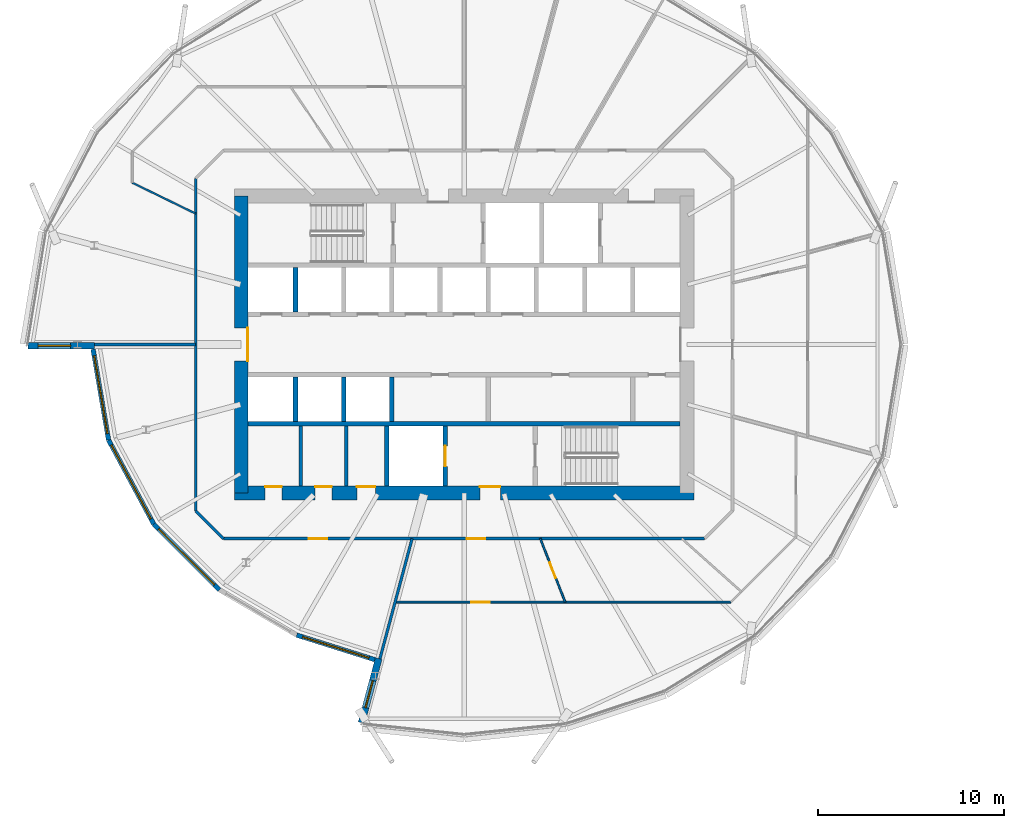
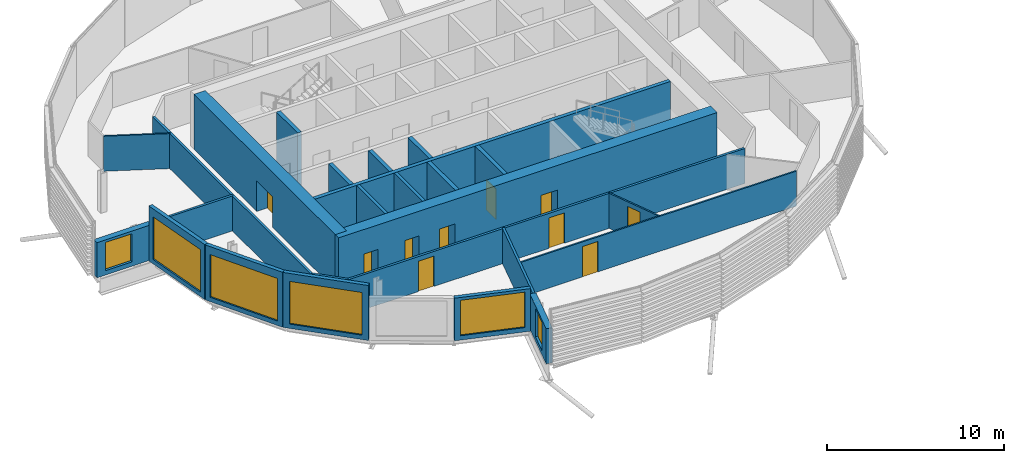
# One storey, part 20 of 39: 25 walls, 10 doors, 6 windows, 16 openings.
"""IFC4 building model written with IfcOpenShell, lengths in metres."""

from ifc_helpers import new_model, si_unit, direction, frame, frame_2d, origin, place, context, subcontext, project, spatial, rectangle, extrude, material, layer, layer_set, type_object, element, fill, save


model = new_model("IFC4")

# Units and contexts
model_context = context("Model", 3, precision=1e-05, world=origin(), true_north=direction((0.0, 1.0)))
body_context = subcontext(model_context, "Body", "Model", "MODEL_VIEW")
ifc_project = project(units=[si_unit("LENGTHUNIT", "METRE"), si_unit("AREAUNIT", "SQUARE_METRE"), si_unit("VOLUMEUNIT", "CUBIC_METRE"), si_unit("PLANEANGLEUNIT", "RADIAN"), si_unit("MASSUNIT", "GRAM", prefix="KILO")], contexts=[model_context])

# Site, building, storey
site_placement = place(None, origin())
site = spatial("IfcSite", under=ifc_project, at=site_placement, CompositionType="ELEMENT")
building_placement = place(site_placement, origin())
building = spatial("IfcBuilding", under=site, at=building_placement, Name="Rimbun Link Towers", CompositionType="ELEMENT")
storey_placement = place(building_placement, frame((0.0, 0.0, 100.60009765625)))
storey = spatial("IfcBuildingStorey", under=building, at=storey_placement, Name="L24", CompositionType="ELEMENT", Elevation=100.60009765625)

# Wall, opening, window
ifc_material_1 = material(Name="Dark enamelled glass spandrel on insulated aluminium backpan", Category="aluminium")
ifc_layer_1 = layer(ifc_material_1, 0.25)
ifc_layer_set_1 = layer_set([ifc_layer_1], Name="CS dark enamelled spandrel wall 250")
wall_type_1 = type_object("IfcWallType", Name="CS dark enamelled spandrel wall 250", PredefinedType="STANDARD", material=ifc_layer_set_1)
wall_1_placement = place(storey_placement, frame((-50.895263671875, -5.13916015625, 0.0), z_axis=(0.0, 0.0, 1.0), x_axis=(-0.168005969371, 0.985785977916, 0.0)))
wall_1 = element("IfcWall", 1, at=wall_1_placement, inside=storey, type_object=wall_type_1, Name="Crease spandrel wall", PredefinedType="STANDARD", context=body_context, shape_type="SweptSolid", body=[
    extrude(rectangle(XDim=4.959716796875, YDim=0.25, at=frame_2d((2.47998046875, 0.0))), origin(), (0.0, 0.0, 1.0), 3.7998046875),
])
opening_1_placement = place(wall_1_placement, frame((0.354736328125, 0.0, 0.300048828125)))
opening_1 = element("IfcOpeningElement", 2, at=opening_1_placement, cuts=wall_1, Name="Opening WR42H295", PredefinedType="OPENING", context=body_context, shape_type="SweptSolid", body=[
    extrude(rectangle(XDim=4.25, YDim=2.949951171875, at=frame_2d((2.125, 1.47509765625))), frame((0.0, 0.135009765625, 0.0), z_axis=(0.0, -1.0, 0.0), x_axis=(1.0, 0.0, 0.0)), (0.0, 0.0, 1.0), 0.27001953125),
])
ifc_material_2 = material(Name="Aluminium framed fixed window, dark tinted low-e glass", Category="aluminium")
window_type_1 = type_object("IfcWindowType", Name="WR ribbon window 4250X2950", PartitioningType="SINGLE_PANEL", PredefinedType="WINDOW", material=ifc_material_2)
window_1_placement = place(opening_1_placement, origin())
window_1 = element("IfcWindow", 3, at=window_1_placement, inside=storey, type_object=window_type_1, Name="Crease ribbon window", OverallHeight=2.949951171875, OverallWidth=4.25, PartitioningType="SINGLE_PANEL", PredefinedType="WINDOW", context=body_context, shape_type="SweptSolid", body=[
    extrude(rectangle(XDim=4.25, YDim=2.949951171875, at=frame_2d((2.125, 1.47509765625))), frame((0.0, 0.030029296875, 0.0), z_axis=(0.0, -1.0, 0.0), x_axis=(1.0, 0.0, 0.0)), (0.0, 0.0, 1.0), 0.06005859375),
])
fill(opening_1, window_1)

wall_2_placement = place(storey_placement, frame((-48.462646484375, -9.665771484375, 0.0), z_axis=(0.0, 0.0, 1.0), x_axis=(-0.47337722528, 0.880859808702, 0.0)))
wall_2 = element("IfcWall", 4, at=wall_2_placement, inside=storey, type_object=wall_type_1, Name="Crease spandrel wall", PredefinedType="STANDARD", context=body_context, shape_type="SweptSolid", body=[
    extrude(rectangle(XDim=5.138916015625, YDim=0.25, at=frame_2d((2.5693359375, 0.0))), origin(), (0.0, 0.0, 1.0), 3.7998046875),
])
opening_2_placement = place(wall_2_placement, frame((0.319580078125, 0.0, 0.300048828125)))
opening_2 = element("IfcOpeningElement", 5, at=opening_2_placement, cuts=wall_2, Name="Opening WR45H295", PredefinedType="OPENING", context=body_context, shape_type="SweptSolid", body=[
    extrude(rectangle(XDim=4.5, YDim=2.949951171875, at=frame_2d((2.25, 1.47509765625))), frame((0.0, 0.135009765625, 0.0), z_axis=(0.0, -1.0, 0.0), x_axis=(1.0, 0.0, 0.0)), (0.0, 0.0, 1.0), 0.27001953125),
])
ifc_material_3 = material(Name="Aluminium framed fixed window, dark tinted low-e glass", Category="aluminium")
window_type_2 = type_object("IfcWindowType", Name="WR ribbon window 4500X2950", PartitioningType="SINGLE_PANEL", PredefinedType="WINDOW", material=ifc_material_3)
window_2_placement = place(opening_2_placement, origin())
window_2 = element("IfcWindow", 6, at=window_2_placement, inside=storey, type_object=window_type_2, Name="Crease ribbon window", OverallHeight=2.949951171875, OverallWidth=4.5, PartitioningType="SINGLE_PANEL", PredefinedType="WINDOW", context=body_context, shape_type="SweptSolid", body=[
    extrude(rectangle(XDim=4.5, YDim=2.949951171875, at=frame_2d((2.25, 1.47509765625))), frame((0.0, 0.030029296875, 0.0), z_axis=(0.0, -1.0, 0.0), x_axis=(1.0, 0.0, 0.0)), (0.0, 0.0, 1.0), 0.06005859375),
])
fill(opening_2, window_2)

wall_3_placement = place(storey_placement, frame((-44.928955078125, -13.20166015625, 0.0), z_axis=(0.0, 0.0, 1.0), x_axis=(-0.706886974242, 0.707326519825, 0.0)))
wall_3 = element("IfcWall", 7, at=wall_3_placement, inside=storey, type_object=wall_type_1, Name="Crease spandrel wall", PredefinedType="STANDARD", context=body_context, shape_type="SweptSolid", body=[
    extrude(rectangle(XDim=4.9990234375, YDim=0.25, at=frame_2d((2.49951171875, 0.0))), origin(), (0.0, 0.0, 1.0), 3.7998046875),
])
opening_3_placement = place(wall_3_placement, frame((0.37451171875, 0.0, 0.300048828125)))
opening_3 = element("IfcOpeningElement", 8, at=opening_3_placement, cuts=wall_3, Name="Opening WR42H295", PredefinedType="OPENING", context=body_context, shape_type="SweptSolid", body=[
    extrude(rectangle(XDim=4.25, YDim=2.949951171875, at=frame_2d((2.125, 1.47509765625))), frame((0.0, 0.135009765625, 0.0), z_axis=(0.0, -1.0, 0.0), x_axis=(1.0, 0.0, 0.0)), (0.0, 0.0, 1.0), 0.27001953125),
])
window_3_placement = place(opening_3_placement, origin())
window_3 = element("IfcWindow", 9, at=window_3_placement, inside=storey, type_object=window_type_1, Name="Crease ribbon window", OverallHeight=2.949951171875, OverallWidth=4.25, PartitioningType="SINGLE_PANEL", PredefinedType="WINDOW", context=body_context, shape_type="SweptSolid", body=[
    extrude(rectangle(XDim=4.25, YDim=2.949951171875, at=frame_2d((2.125, 1.47509765625))), frame((0.0, 0.030029296875, 0.0), z_axis=(0.0, -1.0, 0.0), x_axis=(1.0, 0.0, 0.0)), (0.0, 0.0, 1.0), 0.06005859375),
])
fill(opening_3, window_3)

wall_4_placement = place(storey_placement, frame((-36.555908203125, -16.9697265625, 0.0), z_axis=(0.0, 0.0, 1.0), x_axis=(-0.953753862177, 0.300588706346, 0.0)))
wall_4 = element("IfcWall", 10, at=wall_4_placement, inside=storey, type_object=wall_type_1, Name="Crease spandrel wall", PredefinedType="STANDARD", context=body_context, shape_type="SweptSolid", body=[
    extrude(rectangle(XDim=4.414306640625, YDim=0.25, at=frame_2d((2.20703125, 0.0))), origin(), (0.0, 0.0, 1.0), 2.9462890625),
])
opening_4_placement = place(wall_4_placement, frame((0.332275390625, 0.0, 0.300048828125)))
opening_4 = element("IfcOpeningElement", 11, at=opening_4_placement, cuts=wall_4, Name="Opening WR38H245", PredefinedType="OPENING", context=body_context, shape_type="SweptSolid", body=[
    extrude(rectangle(XDim=3.75, YDim=2.449951171875, at=frame_2d((1.875, 1.22509765625))), frame((0.0, 0.135009765625, 0.0), z_axis=(0.0, -1.0, 0.0), x_axis=(1.0, 0.0, 0.0)), (0.0, 0.0, 1.0), 0.27001953125),
])
ifc_material_4 = material(Name="Aluminium framed fixed window, dark tinted low-e glass", Category="aluminium")
window_type_3 = type_object("IfcWindowType", Name="WR ribbon window 3750X2450", PartitioningType="SINGLE_PANEL", PredefinedType="WINDOW", material=ifc_material_4)
window_4_placement = place(opening_4_placement, origin())
window_4 = element("IfcWindow", 12, at=window_4_placement, inside=storey, type_object=window_type_3, Name="Crease ribbon window", OverallHeight=2.449951171875, OverallWidth=3.75, PartitioningType="SINGLE_PANEL", PredefinedType="WINDOW", context=body_context, shape_type="SweptSolid", body=[
    extrude(rectangle(XDim=3.75, YDim=2.449951171875, at=frame_2d((1.875, 1.22509765625))), frame((0.0, 0.030029296875, 0.0), z_axis=(0.0, -1.0, 0.0), x_axis=(1.0, 0.0, 0.0)), (0.0, 0.0, 1.0), 0.06005859375),
])
fill(opening_4, window_4)

ifc_material_5 = material(Name="Dark enamelled glass spandrel on insulated aluminium backpan", Category="aluminium")
ifc_layer_2 = layer(ifc_material_5, 0.3701171875)
ifc_layer_set_2 = layer_set([ifc_layer_2], Name="CS dark enamelled spandrel wall 370")
wall_type_2 = type_object("IfcWallType", Name="CS dark enamelled spandrel wall 370", PredefinedType="STANDARD", material=ifc_layer_set_2)
wall_5_placement = place(storey_placement, frame((-51.644287109375, -0.06494140625, 0.0), z_axis=(0.0, 0.0, 1.0), x_axis=(-1.0, 0.0, 0.0)))
wall_5 = element("IfcWall", 13, at=wall_5_placement, inside=storey, type_object=wall_type_2, Name="Crease spandrel wall", PredefinedType="STANDARD", context=body_context, shape_type="SweptSolid", body=[
    extrude(rectangle(XDim=3.580078125, YDim=0.3701171875, at=frame_2d((1.7900390625, 0.0))), origin(), (0.0, 0.0, 1.0), 2.429931640625),
])
opening_5_placement = place(wall_5_placement, frame((1.291748046875, 0.0, 0.300048828125)))
opening_5 = element("IfcOpeningElement", 14, at=opening_5_placement, cuts=wall_5, Name="Opening WR18H195", PredefinedType="OPENING", context=body_context, shape_type="SweptSolid", body=[
    extrude(rectangle(XDim=1.75, YDim=1.949951171875, at=frame_2d((0.875, 0.97509765625))), frame((0.0, 0.195068359375, 0.0), z_axis=(0.0, -1.0, 0.0), x_axis=(1.0, 0.0, 0.0)), (0.0, 0.0, 1.0), 0.39013671875),
])
ifc_material_6 = material(Name="Aluminium framed fixed window, dark tinted low-e glass", Category="aluminium")
window_type_4 = type_object("IfcWindowType", Name="WR ribbon window 1750X1950", PartitioningType="SINGLE_PANEL", PredefinedType="WINDOW", material=ifc_material_6)
window_5_placement = place(opening_5_placement, origin())
window_5 = element("IfcWindow", 15, at=window_5_placement, inside=storey, type_object=window_type_4, Name="Crease ribbon window", OverallHeight=1.949951171875, OverallWidth=1.75, PartitioningType="SINGLE_PANEL", PredefinedType="WINDOW", context=body_context, shape_type="SweptSolid", body=[
    extrude(rectangle(XDim=1.75, YDim=1.949951171875, at=frame_2d((0.875, 0.97509765625))), frame((0.0, 0.030029296875, 0.0), z_axis=(0.0, -1.0, 0.0), x_axis=(1.0, 0.0, 0.0)), (0.0, 0.0, 1.0), 0.06005859375),
])
fill(opening_5, window_5)

wall_6_placement = place(storey_placement, frame((-37.274169921875, -20.365234375, 0.0), z_axis=(0.0, 0.0, 1.0), x_axis=(0.258804260405, 0.965929787715, 0.0)))
wall_6 = element("IfcWall", 16, at=wall_6_placement, inside=storey, type_object=wall_type_2, Name="Crease spandrel wall", PredefinedType="STANDARD", context=body_context, shape_type="SweptSolid", body=[
    extrude(rectangle(XDim=3.580078125, YDim=0.3701171875, at=frame_2d((1.7900390625, 0.0))), origin(), (0.0, 0.0, 1.0), 2.429931640625),
])
opening_6_placement = place(wall_6_placement, frame((0.84716796875, 0.0, 0.300048828125)))
opening_6 = element("IfcOpeningElement", 17, at=opening_6_placement, cuts=wall_6, Name="Opening WR15H195", PredefinedType="OPENING", context=body_context, shape_type="SweptSolid", body=[
    extrude(rectangle(XDim=1.5, YDim=1.949951171875, at=frame_2d((0.75, 0.97509765625))), frame((0.0, 0.195068359375, 0.0), z_axis=(0.0, -1.0, 0.0), x_axis=(1.0, 0.0, 0.0)), (0.0, 0.0, 1.0), 0.39013671875),
])
ifc_material_7 = material(Name="Aluminium framed fixed window, dark tinted low-e glass", Category="aluminium")
window_type_5 = type_object("IfcWindowType", Name="WR ribbon window 1500X1950", PartitioningType="SINGLE_PANEL", PredefinedType="WINDOW", material=ifc_material_7)
window_6_placement = place(opening_6_placement, origin())
window_6 = element("IfcWindow", 18, at=window_6_placement, inside=storey, type_object=window_type_5, Name="Crease ribbon window", OverallHeight=1.949951171875, OverallWidth=1.5, PartitioningType="SINGLE_PANEL", PredefinedType="WINDOW", context=body_context, shape_type="SweptSolid", body=[
    extrude(rectangle(XDim=1.5, YDim=1.949951171875, at=frame_2d((0.75, 0.97509765625))), frame((0.0, 0.030029296875, 0.0), z_axis=(0.0, -1.0, 0.0), x_axis=(1.0, 0.0, 0.0)), (0.0, 0.0, 1.0), 0.06005859375),
])
fill(opening_6, window_6)

# Walls
ifc_material_8 = material(Name="Masonry blockwork", Category="masonry")
ifc_layer_3 = layer(ifc_material_8, 0.199951171875)
ifc_layer_set_3 = layer_set([ifc_layer_3], Name="Core partition 200")
wall_type_3 = type_object("IfcWallType", Name="Core partition 200", PredefinedType="PARTITIONING", material=ifc_layer_set_3)
for number, where, z_axis, x_axis, name in (
    (19, (-40.550048828125, -4.39990234375, 0.0), (0.0, 0.0, 1.0), (0.0, -1.0, 0.0), "L24 T1 core wall C1"),
    (20, (-38.10009765625, -4.39990234375, 0.0), (0.0, 0.0, 1.0), (0.0, -1.0, 0.0), "L24 T1 core wall C2"),
):
    element("IfcWall", number, at=place(storey_placement, frame(where, z_axis=z_axis, x_axis=x_axis)), inside=storey, type_object=wall_type_3, Name=name, PredefinedType="PARTITIONING", context=body_context, shape_type="SweptSolid", body=[
        extrude(rectangle(XDim=3.22509765625, YDim=0.199951171875, at=frame_2d((1.612548828125, 0.0))), origin(), (0.0, 0.0, 1.0), 3.7998046875),
    ])

# Wall, openings, doors
ifc_material_9 = material(Name="Concrete C60/75", Category="concrete")
ifc_layer_4 = layer(ifc_material_9, 0.75)
ifc_layer_set_4 = layer_set([ifc_layer_4], Name="Core shear wall 750")
wall_type_4 = type_object("IfcWallType", Name="Core shear wall 750", PredefinedType="SHEAR", material=ifc_layer_set_4)
wall_7_placement = place(storey_placement, frame((-44.125, -8.0, 0.0), z_axis=(0.0, 0.0, 1.0), x_axis=(1.0, 0.0, 0.0)))
wall_7 = element("IfcWall", 21, at=wall_7_placement, inside=storey, type_object=wall_type_4, Name="L24 T1 core wall S", PredefinedType="SHEAR", context=body_context, shape_type="SweptSolid", body=[
    extrude(rectangle(XDim=24.75, YDim=0.75, at=frame_2d((12.375, 0.0))), origin(), (0.0, 0.0, 1.0), 3.7998046875),
])
opening_7_placement = place(wall_7_placement, frame((13.22509765625, 0.0, 0.0)))
opening_7 = element("IfcOpeningElement", 22, at=opening_7_placement, cuts=wall_7, Name="Opening C1DCF01S", PredefinedType="OPENING", context=body_context, shape_type="SweptSolid", body=[
    extrude(rectangle(XDim=1.10009765625, YDim=2.10009765625, at=frame_2d((0.550048828125, 1.050048828125))), frame((0.0, 0.385009765625, 0.0), z_axis=(0.0, -1.0, 0.0), x_axis=(1.0, 0.0, 0.0)), (0.0, 0.0, 1.0), 0.77001953125),
])
opening_8_placement = place(wall_7_placement, frame((1.66259765625, 0.0, 0.0)))
opening_8 = element("IfcOpeningElement", 23, at=opening_8_placement, cuts=wall_7, Name="Opening C1DWC02S", PredefinedType="OPENING", context=body_context, shape_type="SweptSolid", body=[
    extrude(rectangle(XDim=0.89990234375, YDim=2.10009765625, at=frame_2d((0.449951171875, 1.050048828125))), frame((0.0, 0.385009765625, 0.0), z_axis=(0.0, -1.0, 0.0), x_axis=(1.0, 0.0, 0.0)), (0.0, 0.0, 1.0), 0.77001953125),
])
opening_9_placement = place(wall_7_placement, frame((4.35009765625, 0.0, 0.0)))
opening_9 = element("IfcOpeningElement", 24, at=opening_9_placement, cuts=wall_7, Name="Opening C1DWC03S", PredefinedType="OPENING", context=body_context, shape_type="SweptSolid", body=[
    extrude(rectangle(XDim=0.89990234375, YDim=2.10009765625, at=frame_2d((0.449951171875, 1.050048828125))), frame((0.0, 0.385009765625, 0.0), z_axis=(0.0, -1.0, 0.0), x_axis=(1.0, 0.0, 0.0)), (0.0, 0.0, 1.0), 0.77001953125),
])
opening_10_placement = place(wall_7_placement, frame((6.60009765625, 0.0, 0.0)))
opening_10 = element("IfcOpeningElement", 25, at=opening_10_placement, cuts=wall_7, Name="Opening C1DAW04S", PredefinedType="OPENING", context=body_context, shape_type="SweptSolid", body=[
    extrude(rectangle(XDim=1.0, YDim=2.10009765625, at=frame_2d((0.5, 1.050048828125))), frame((0.0, 0.385009765625, 0.0), z_axis=(0.0, -1.0, 0.0), x_axis=(1.0, 0.0, 0.0)), (0.0, 0.0, 1.0), 0.77001953125),
])
ifc_material_10 = material(Name="Timber", Category="wood")
door_type_1 = type_object("IfcDoorType", Name="Accessible WC door", OperationType="SINGLE_SWING_LEFT", PredefinedType="DOOR", material=ifc_material_10)
door_1_placement = place(opening_10_placement, origin())
door_1 = element("IfcDoor", 26, at=door_1_placement, inside=storey, type_object=door_type_1, Name="L24 T1 accessible wc door", OperationType="SINGLE_SWING_RIGHT", OverallHeight=2.10009765625, OverallWidth=1.0, PredefinedType="DOOR", context=body_context, shape_type="SweptSolid", body=[
    extrude(rectangle(XDim=1.0, YDim=2.10009765625, at=frame_2d((0.5, 1.050048828125))), frame((0.0, 0.375, 0.0), z_axis=(0.0, -1.0, 0.0), x_axis=(1.0, 0.0, 0.0)), (0.0, 0.0, 1.0), 0.050048828125),
])
fill(opening_10, door_1)
ifc_material_11 = material(Name="Steel fire door set", Category="steel")
door_type_2 = type_object("IfcDoorType", Name="Core fire door single", OperationType="SINGLE_SWING_LEFT", PredefinedType="DOOR", material=ifc_material_11)
door_2_placement = place(opening_7_placement, origin())
door_2 = element("IfcDoor", 27, at=door_2_placement, inside=storey, type_object=door_type_2, Name="L24 T1 firefighting lobby s door", OperationType="SINGLE_SWING_LEFT", OverallHeight=2.10009765625, OverallWidth=1.10009765625, PredefinedType="DOOR", context=body_context, shape_type="SweptSolid", body=[
    extrude(rectangle(XDim=1.10009765625, YDim=2.10009765625, at=frame_2d((0.550048828125, 1.050048828125))), frame((0.0, 0.375, 0.0), z_axis=(0.0, -1.0, 0.0), x_axis=(1.0, 0.0, 0.0)), (0.0, 0.0, 1.0), 0.050048828125),
])
fill(opening_7, door_2)
ifc_material_12 = material(Name="Timber", Category="wood")
door_type_3 = type_object("IfcDoorType", Name="WC door", OperationType="SINGLE_SWING_LEFT", PredefinedType="DOOR", material=ifc_material_12)
door_3_placement = place(opening_8_placement, origin())
door_3 = element("IfcDoor", 28, at=door_3_placement, inside=storey, type_object=door_type_3, Name="L24 T1 male wc door", OperationType="SINGLE_SWING_RIGHT", OverallHeight=2.10009765625, OverallWidth=0.89990234375, PredefinedType="DOOR", context=body_context, shape_type="SweptSolid", body=[
    extrude(rectangle(XDim=0.89990234375, YDim=2.10009765625, at=frame_2d((0.449951171875, 1.050048828125))), frame((0.0, 0.375, 0.0), z_axis=(0.0, -1.0, 0.0), x_axis=(1.0, 0.0, 0.0)), (0.0, 0.0, 1.0), 0.050048828125),
])
fill(opening_8, door_3)
door_4_placement = place(opening_9_placement, origin())
door_4 = element("IfcDoor", 29, at=door_4_placement, inside=storey, type_object=door_type_3, Name="L24 T1 female wc door", OperationType="SINGLE_SWING_RIGHT", OverallHeight=2.10009765625, OverallWidth=0.89990234375, PredefinedType="DOOR", context=body_context, shape_type="SweptSolid", body=[
    extrude(rectangle(XDim=0.89990234375, YDim=2.10009765625, at=frame_2d((0.449951171875, 1.050048828125))), frame((0.0, 0.375, 0.0), z_axis=(0.0, -1.0, 0.0), x_axis=(1.0, 0.0, 0.0)), (0.0, 0.0, 1.0), 0.050048828125),
])
fill(opening_9, door_4)

# Wall, opening, door
wall_8_placement = place(storey_placement, frame((-43.75, -8.0, 0.0), z_axis=(0.0, 0.0, 1.0), x_axis=(0.0, 1.0, 0.0)))
wall_8 = element("IfcWall", 30, at=wall_8_placement, inside=storey, type_object=wall_type_4, Name="L24 T1 core wall W", PredefinedType="SHEAR", context=body_context, shape_type="SweptSolid", body=[
    extrude(rectangle(XDim=16.0, YDim=0.75, at=frame_2d((8.0, 0.0))), origin(), (0.0, 0.0, 1.0), 3.7998046875),
])
opening_11_placement = place(wall_8_placement, frame((7.10009765625, 0.0, 0.0)))
opening_11 = element("IfcOpeningElement", 31, at=opening_11_placement, cuts=wall_8, Name="Opening C1DCL01W", PredefinedType="OPENING", context=body_context, shape_type="SweptSolid", body=[
    extrude(rectangle(XDim=1.800048828125, YDim=2.10009765625, at=frame_2d((0.89990234375, 1.050048828125))), frame((0.0, 0.385009765625, 0.0), z_axis=(0.0, -1.0, 0.0), x_axis=(1.0, 0.0, 0.0)), (0.0, 0.0, 1.0), 0.77001953125),
])
ifc_material_13 = material(Name="Steel fire door set", Category="steel")
door_type_4 = type_object("IfcDoorType", Name="Core lobby door double", OperationType="DOUBLE_DOOR_SINGLE_SWING", PredefinedType="DOOR", material=ifc_material_13)
door_5_placement = place(opening_11_placement, origin())
door_5 = element("IfcDoor", 32, at=door_5_placement, inside=storey, type_object=door_type_4, Name="L24 T1 lift lobby door", OperationType="DOUBLE_DOOR_SINGLE_SWING", OverallHeight=2.10009765625, OverallWidth=1.800048828125, PredefinedType="DOOR", context=body_context, shape_type="SweptSolid", body=[
    extrude(rectangle(XDim=1.800048828125, YDim=2.10009765625, at=frame_2d((0.89990234375, 1.050048828125))), frame((0.0, -0.3251953125, 0.0), z_axis=(0.0, -1.0, 0.0), x_axis=(1.0, 0.0, 0.0)), (0.0, 0.0, 1.0), 0.050048828125),
])
fill(opening_11, door_5)

# Wall, openings, doors
ifc_material_14 = material(Name="Plasterboard on steel stud, mineral wool", Category="steel")
ifc_layer_5 = layer(ifc_material_14, 0.14990234375)
ifc_layer_set_5 = layer_set([ifc_layer_5], Name="Corridor wall EI 30 150 mm")
wall_type_5 = type_object("IfcWallType", Name="Corridor wall EI 30 150 mm", PredefinedType="PARTITIONING", material=ifc_layer_set_5)
wall_9_placement = place(storey_placement, frame((-18.79833984375, -10.449951171875, 0.0), z_axis=(0.0, 0.0, 1.0), x_axis=(-1.0, 0.0, 0.0)))
wall_9 = element("IfcWall", 33, at=wall_9_placement, inside=storey, type_object=wall_type_5, Name="Corridor wall EI 30 150 mm", PredefinedType="PARTITIONING", context=body_context, shape_type="SweptSolid", body=[
    extrude(rectangle(XDim=25.9033203125, YDim=0.14990234375, at=frame_2d((12.95166015625, 0.0))), origin(), (0.0, 0.0, 1.0), 2.419921875),
])
opening_12_placement = place(wall_9_placement, frame((11.80126953125, 0.0, 0.0)))
opening_12 = element("IfcOpeningElement", 34, at=opening_12_placement, cuts=wall_9, Name="Opening D01", PredefinedType="OPENING", context=body_context, shape_type="SweptSolid", body=[
    extrude(rectangle(XDim=1.0, YDim=2.10009765625, at=frame_2d((0.5, 1.050048828125))), frame((0.0, 0.0849609375, 0.0), z_axis=(0.0, -1.0, 0.0), x_axis=(1.0, 0.0, 0.0)), (0.0, 0.0, 1.0), 0.169921875),
])
opening_13_placement = place(wall_9_placement, frame((20.32763671875, 0.0, 0.0)))
opening_13 = element("IfcOpeningElement", 35, at=opening_13_placement, cuts=wall_9, Name="Opening D01", PredefinedType="OPENING", context=body_context, shape_type="SweptSolid", body=[
    extrude(rectangle(XDim=1.0, YDim=2.10009765625, at=frame_2d((0.5, 1.050048828125))), frame((0.0, 0.0849609375, 0.0), z_axis=(0.0, -1.0, 0.0), x_axis=(1.0, 0.0, 0.0)), (0.0, 0.0, 1.0), 0.169921875),
])
ifc_material_15 = material(Name="Fire-resisting timber door leaf", Category="wood")
door_type_5 = type_object("IfcDoorType", Name="Fire door FD30S 1000", OperationType="NOTDEFINED", PredefinedType="DOOR", material=ifc_material_15)
door_6_placement = place(opening_12_placement, origin())
door_6 = element("IfcDoor", 36, at=door_6_placement, inside=storey, type_object=door_type_5, Name="Fire door FD30S 1000 to Reception", OperationType="SINGLE_SWING_LEFT", OverallHeight=2.10009765625, OverallWidth=1.0, PredefinedType="DOOR", context=body_context, shape_type="SweptSolid", body=[
    extrude(rectangle(XDim=1.0, YDim=2.10009765625, at=frame_2d((0.5, 1.050048828125))), frame((0.0, 0.02490234375, 0.0), z_axis=(0.0, -1.0, 0.0), x_axis=(1.0, 0.0, 0.0)), (0.0, 0.0, 1.0), 0.050048828125),
])
fill(opening_12, door_6)
door_7_placement = place(opening_13_placement, origin())
door_7 = element("IfcDoor", 37, at=door_7_placement, inside=storey, type_object=door_type_5, Name="Fire door FD30S 1000 to Terrace office", OperationType="SINGLE_SWING_LEFT", OverallHeight=2.10009765625, OverallWidth=1.0, PredefinedType="DOOR", context=body_context, shape_type="SweptSolid", body=[
    extrude(rectangle(XDim=1.0, YDim=2.10009765625, at=frame_2d((0.5, 1.050048828125))), frame((0.0, 0.02490234375, 0.0), z_axis=(0.0, -1.0, 0.0), x_axis=(1.0, 0.0, 0.0)), (0.0, 0.0, 1.0), 0.050048828125),
])
fill(opening_13, door_7)

# Walls
wall_10_placement = place(storey_placement, frame((-46.199951171875, -8.95166015625, 0.0), z_axis=(0.0, 0.0, 1.0), x_axis=(0.707106781187, -0.707106781187, 0.0)))
element("IfcWall", 38, at=wall_10_placement, inside=storey, type_object=wall_type_5, Name="Corridor wall EI 30 150 mm", PredefinedType="PARTITIONING", context=body_context, shape_type="SweptSolid", body=[
    extrude(rectangle(XDim=2.118896484375, YDim=0.14990234375, at=frame_2d((1.0595703125, 0.0))), origin(), (0.0, 0.0, 1.0), 2.419921875),
])
wall_11_placement = place(storey_placement, frame((-46.199951171875, 8.95166015625, 0.0), z_axis=(0.0, 0.0, 1.0), x_axis=(0.0, -1.0, 0.0)))
element("IfcWall", 39, at=wall_11_placement, inside=storey, type_object=wall_type_5, Name="Corridor wall EI 30 150 mm", PredefinedType="PARTITIONING", context=body_context, shape_type="SweptSolid", body=[
    extrude(rectangle(XDim=17.9033203125, YDim=0.14990234375, at=frame_2d((8.95166015625, 0.0))), origin(), (0.0, 0.0, 1.0), 2.419921875),
])

# Wall, opening, door
ifc_material_16 = material(Name="Plasterboard on steel stud", Category="steel")
ifc_layer_6 = layer(ifc_material_16, 0.10009765625)
ifc_layer_set_6 = layer_set([ifc_layer_6], Name="Plasterboard partition 100 mm")
wall_type_6 = type_object("IfcWallType", Name="Plasterboard partition 100 mm", PredefinedType="PARTITIONING", material=ifc_layer_set_6)
wall_12_placement = place(storey_placement, frame((-27.648681640625, -10.449951171875, 0.0), z_axis=(0.0, 0.0, 1.0), x_axis=(0.365276110252, -0.930899222945, 0.0)))
wall_12 = element("IfcWall", 40, at=wall_12_placement, inside=storey, type_object=wall_type_6, Name="Plasterboard partition 100 mm", PredefinedType="PARTITIONING", context=body_context, shape_type="SweptSolid", body=[
    extrude(rectangle(XDim=3.674072265625, YDim=0.10009765625, at=frame_2d((1.8369140625, 0.0))), origin(), (0.0, 0.0, 1.0), 2.419921875),
])
opening_14_placement = place(wall_12_placement, frame((1.386962890625, 0.0, 0.0)))
opening_14 = element("IfcOpeningElement", 41, at=opening_14_placement, cuts=wall_12, Name="Opening D04", PredefinedType="OPENING", context=body_context, shape_type="SweptSolid", body=[
    extrude(rectangle(XDim=0.89990234375, YDim=2.10009765625, at=frame_2d((0.449951171875, 1.050048828125))), frame((0.0, 0.06005859375, 0.0), z_axis=(0.0, -1.0, 0.0), x_axis=(1.0, 0.0, 0.0)), (0.0, 0.0, 1.0), 0.1201171875),
])
ifc_material_17 = material(Name="Timber door leaf", Category="wood")
door_type_6 = type_object("IfcDoorType", Name="Flush door 900", OperationType="NOTDEFINED", PredefinedType="DOOR", material=ifc_material_17)
door_8_placement = place(opening_14_placement, origin())
door_8 = element("IfcDoor", 42, at=door_8_placement, inside=storey, type_object=door_type_6, Name="Flush door 900 to Meeting room", OperationType="SINGLE_SWING_RIGHT", OverallHeight=2.10009765625, OverallWidth=0.89990234375, PredefinedType="DOOR", context=body_context, shape_type="SweptSolid", body=[
    extrude(rectangle(XDim=0.89990234375, YDim=2.10009765625, at=frame_2d((0.449951171875, 1.050048828125))), frame((0.0, 0.02490234375, 0.0), z_axis=(0.0, -1.0, 0.0), x_axis=(1.0, 0.0, 0.0)), (0.0, 0.0, 1.0), 0.050048828125),
])
fill(opening_14, door_8)

wall_13_placement = place(storey_placement, frame((-17.381591796875, -13.8701171875, 0.0), z_axis=(0.0, 0.0, 1.0), x_axis=(-1.0, 0.0, 0.0)))
wall_13 = element("IfcWall", 43, at=wall_13_placement, inside=storey, type_object=wall_type_6, Name="Plasterboard partition 100 mm", PredefinedType="PARTITIONING", context=body_context, shape_type="SweptSolid", body=[
    extrude(rectangle(XDim=18.084716796875, YDim=0.10009765625, at=frame_2d((9.04248046875, 0.0))), origin(), (0.0, 0.0, 1.0), 2.419921875),
])
opening_15_placement = place(wall_13_placement, frame((12.989990234375, 0.0, 0.0)))
opening_15 = element("IfcOpeningElement", 44, at=opening_15_placement, cuts=wall_13, Name="Opening D03", PredefinedType="OPENING", context=body_context, shape_type="SweptSolid", body=[
    extrude(rectangle(XDim=1.0, YDim=2.10009765625, at=frame_2d((0.5, 1.050048828125))), frame((0.0, 0.06005859375, 0.0), z_axis=(0.0, -1.0, 0.0), x_axis=(1.0, 0.0, 0.0)), (0.0, 0.0, 1.0), 0.1201171875),
])
ifc_material_18 = material(Name="Timber door leaf", Category="wood")
door_type_7 = type_object("IfcDoorType", Name="Flush door 1000", OperationType="NOTDEFINED", PredefinedType="DOOR", material=ifc_material_18)
door_9_placement = place(opening_15_placement, origin())
door_9 = element("IfcDoor", 45, at=door_9_placement, inside=storey, type_object=door_type_7, Name="Flush door 1000 to Open office", OperationType="SINGLE_SWING_LEFT", OverallHeight=2.10009765625, OverallWidth=1.0, PredefinedType="DOOR", context=body_context, shape_type="SweptSolid", body=[
    extrude(rectangle(XDim=1.0, YDim=2.10009765625, at=frame_2d((0.5, 1.050048828125))), frame((0.0, 0.02490234375, 0.0), z_axis=(0.0, -1.0, 0.0), x_axis=(1.0, 0.0, 0.0)), (0.0, 0.0, 1.0), 0.050048828125),
])
fill(opening_15, door_9)

# Walls
wall_14_placement = place(storey_placement, frame((-49.6201171875, 8.712646484375, 0.0), z_axis=(0.0, 0.0, 1.0), x_axis=(0.898860924109, -0.438234000404, 0.0)))
element("IfcWall", 46, at=wall_14_placement, inside=storey, type_object=wall_type_6, Name="Plasterboard partition 100 mm", PredefinedType="PARTITIONING", context=body_context, shape_type="SweptSolid", body=[
    extrude(rectangle(XDim=3.804931640625, YDim=0.10009765625, at=frame_2d((1.90234375, 0.0))), origin(), (0.0, 0.0, 1.0), 2.419921875),
])
ifc_material_19 = material(Name="Concrete C60/75", Category="concrete")
ifc_layer_7 = layer(ifc_material_19, 0.25)
ifc_layer_set_7 = layer_set([ifc_layer_7], Name="Shaft wall 250")
wall_type_7 = type_object("IfcWallType", Name="Shaft wall 250", PredefinedType="SHEAR", material=ifc_layer_set_7)
wall_15_placement = place(storey_placement, frame((-43.375, -4.27490234375, 0.0), z_axis=(0.0, 0.0, 1.0), x_axis=(1.0, 0.0, 0.0)))
element("IfcWall", 47, at=wall_15_placement, inside=storey, type_object=wall_type_7, Name="L24 T1 core wall BS", PredefinedType="SHEAR", context=body_context, shape_type="SweptSolid", body=[
    extrude(rectangle(XDim=23.25, YDim=0.25, at=frame_2d((11.625, 0.0))), origin(), (0.0, 0.0, 1.0), 3.7998046875),
])
for number, where, z_axis, x_axis, name in (
    (48, (-40.83056640625, 1.75, 0.0), (0.0, 0.0, 1.0), (0.0, 1.0, 0.0), "L24 T1 core wall DN0"),
    (49, (-40.83056640625, -4.14990234375, 0.0), (0.0, 0.0, 1.0), (0.0, 1.0, 0.0), "L24 T1 core wall DS0"),
    (50, (-38.236083984375, -4.14990234375, 0.0), (0.0, 0.0, 1.0), (0.0, 1.0, 0.0), "L24 T1 core wall DS1"),
    (51, (-35.6416015625, -4.14990234375, 0.0), (0.0, 0.0, 1.0), (0.0, 1.0, 0.0), "L24 T1 core wall DS2"),
):
    element("IfcWall", number, at=place(storey_placement, frame(where, z_axis=z_axis, x_axis=x_axis)), inside=storey, type_object=wall_type_7, Name=name, PredefinedType="SHEAR", context=body_context, shape_type="SweptSolid", body=[
        extrude(rectangle(XDim=2.39990234375, YDim=0.25, at=frame_2d((1.199951171875, 0.0))), origin(), (0.0, 0.0, 1.0), 3.7998046875),
    ])

# Wall, opening, door
wall_16_placement = place(storey_placement, frame((-32.77490234375, -4.39990234375, 0.0), z_axis=(0.0, 0.0, 1.0), x_axis=(0.0, -1.0, 0.0)))
wall_16 = element("IfcWall", 52, at=wall_16_placement, inside=storey, type_object=wall_type_7, Name="L24 T1 core wall B2", PredefinedType="SHEAR", context=body_context, shape_type="SweptSolid", body=[
    extrude(rectangle(XDim=3.22509765625, YDim=0.25, at=frame_2d((1.612548828125, 0.0))), origin(), (0.0, 0.0, 1.0), 3.7998046875),
])
opening_16_placement = place(wall_16_placement, frame((1.0625, 0.0, 0.0)))
opening_16 = element("IfcOpeningElement", 53, at=opening_16_placement, cuts=wall_16, Name="Opening LD-T1-FF2", PredefinedType="OPENING", context=body_context, shape_type="SweptSolid", body=[
    extrude(rectangle(XDim=1.10009765625, YDim=2.10009765625, at=frame_2d((0.550048828125, 1.050048828125))), frame((0.0, 0.135009765625, 0.0), z_axis=(0.0, -1.0, 0.0), x_axis=(1.0, 0.0, 0.0)), (0.0, 0.0, 1.0), 0.27001953125),
])
ifc_material_20 = material(Name="Stainless steel grade 316", Category="steel")
door_type_8 = type_object("IfcDoorType", Name="Lift landing door", OperationType="DOUBLE_DOOR_SLIDING", PredefinedType="DOOR", material=ifc_material_20)
door_10_placement = place(opening_16_placement, origin())
door_10 = element("IfcDoor", 54, at=door_10_placement, inside=storey, type_object=door_type_8, Name="L24 T1 lift FF2 landing door", OperationType="DOUBLE_DOOR_SLIDING", OverallHeight=2.10009765625, OverallWidth=1.10009765625, PredefinedType="DOOR", context=body_context, shape_type="SweptSolid", body=[
    extrude(rectangle(XDim=1.10009765625, YDim=2.10009765625, at=frame_2d((0.550048828125, 1.050048828125))), frame((0.0, 0.02490234375, 0.0), z_axis=(0.0, -1.0, 0.0), x_axis=(1.0, 0.0, 0.0)), (0.0, 0.0, 1.0), 0.050048828125),
])
fill(opening_16, door_10)

# Walls
wall_17_placement = place(storey_placement, frame((-35.925048828125, -4.39990234375, 0.0), z_axis=(0.0, 0.0, 1.0), x_axis=(0.0, -1.0, 0.0)))
element("IfcWall", 55, at=wall_17_placement, inside=storey, type_object=wall_type_7, Name="L24 T1 core wall B3", PredefinedType="SHEAR", context=body_context, shape_type="SweptSolid", body=[
    extrude(rectangle(XDim=3.22509765625, YDim=0.25, at=frame_2d((1.612548828125, 0.0))), origin(), (0.0, 0.0, 1.0), 3.7998046875),
])
ifc_material_21 = material(Name="Plasterboard on steel stud, mineral wool", Category="steel")
ifc_layer_8 = layer(ifc_material_21, 0.14990234375)
ifc_layer_set_8 = layer_set([ifc_layer_8], Name="Tenancy separation wall EI 60 150 mm")
wall_type_8 = type_object("IfcWallType", Name="Tenancy separation wall EI 60 150 mm", PredefinedType="PARTITIONING", material=ifc_layer_set_8)
wall_18_placement = place(storey_placement, frame((-46.199951171875, 0.0, 0.0), z_axis=(0.0, 0.0, 1.0), x_axis=(-1.0, 0.0, 0.0)))
element("IfcWall", 56, at=wall_18_placement, inside=storey, type_object=wall_type_8, Name="Tenancy separation wall EI 60 150 mm", PredefinedType="PARTITIONING", context=body_context, shape_type="SweptSolid", body=[
    extrude(rectangle(XDim=5.4443359375, YDim=0.14990234375, at=frame_2d((2.72216796875, 0.0))), origin(), (0.0, 0.0, 1.0), 2.419921875),
])
wall_19_placement = place(storey_placement, frame((-34.550048828125, -10.449951171875, 0.0), z_axis=(0.0, 0.0, 1.0), x_axis=(-0.25883682997, -0.965921060673, 0.0)))
element("IfcWall", 57, at=wall_19_placement, inside=storey, type_object=wall_type_8, Name="Tenancy separation wall EI 60 150 mm", PredefinedType="PARTITIONING", context=body_context, shape_type="SweptSolid", body=[
    extrude(rectangle(XDim=6.70263671875, YDim=0.14990234375, at=frame_2d((3.351318359375, 0.0))), origin(), (0.0, 0.0, 1.0), 2.419921875),
])

save(model, "model.ifc")
